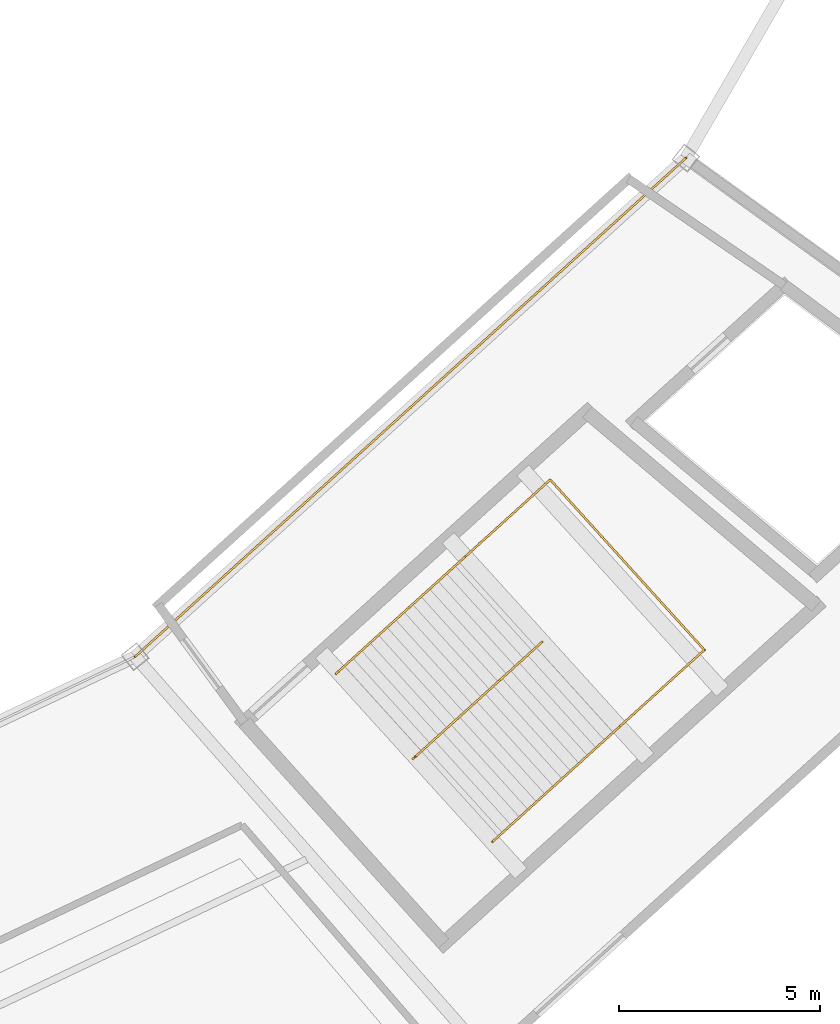
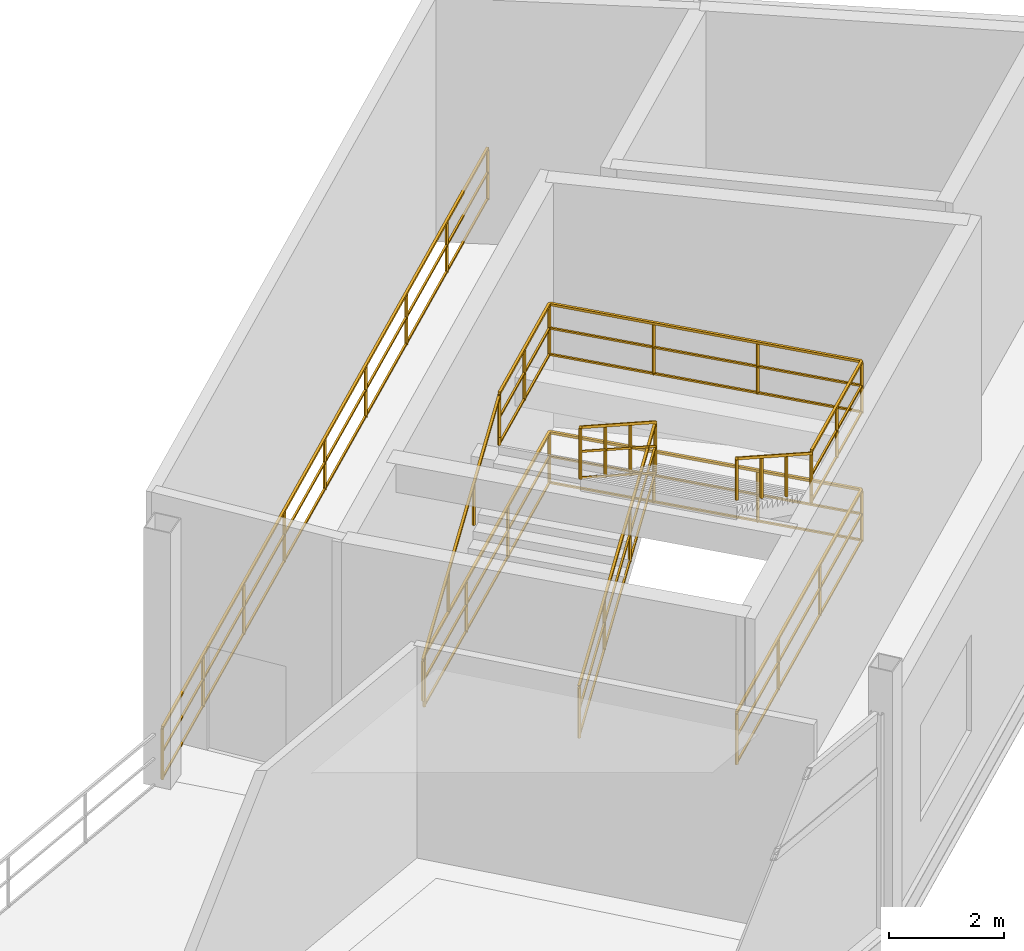
# One storey, part 100 of 103: 6 railings.
"""IFC4 building model written with IfcOpenShell, lengths in metres."""

import ifcopenshell
import ifcopenshell.guid

model = None  # the IFC model being written
_history = None  # IfcOwnerHistory: only IFC2X3 demands one
_inside = {}  # id of a spatial element -> (the spatial element, [elements in it])
_under = {}  # id of a project, library or spatial element -> (it, [spatial elements below it])
_declared = {}  # id of a project -> (the project, [libraries it declares])
_typed = {}  # id of a type object -> (the type object, [elements of that type])
_made_of = {}  # id of a material, layer set ... -> (it, [elements and type objects made of it])


def new_model(schema):
    """Start an empty IFC model of exactly this schema.

    Asked for "IFC4X3", IfcOpenShell would pick the latest addendum, in which some entities
    have other attributes; the version numbers below select the first issue.
    IFC2X3 requires an IfcOwnerHistory on every rooted entity: one is made here for all.
    """
    global model, _history
    if schema == "IFC4X3":
        model = ifcopenshell.file(schema_version=(4, 3, 0, 0))
    else:
        model = ifcopenshell.file(schema=schema)
    _inside.clear()
    _under.clear()
    _declared.clear()
    _typed.clear()
    _made_of.clear()
    _history = None
    if model.schema == "IFC2X3":
        org = make("IfcOrganization", Name="unknown")
        user = make(
            "IfcPersonAndOrganization",
            ThePerson=make("IfcPerson", FamilyName="unknown"),
            TheOrganization=org,
        )
        app = make(
            "IfcApplication",
            ApplicationDeveloper=org,
            Version="unknown",
            ApplicationFullName="unknown",
            ApplicationIdentifier="unknown",
        )
        _history = make(
            "IfcOwnerHistory",
            OwningUser=user,
            OwningApplication=app,
            ChangeAction="ADDED",
            CreationDate=0,
        )
    return model


def make(cls, **values):
    """One entity of the class cls with the attributes given. An attribute that is None is left unset."""
    return model.create_entity(
        cls, **{name: value for name, value in values.items() if value is not None}
    )


def rooted(cls, **values):
    """An entity with a GlobalId (a new one), such as an element, a storey or a relation."""
    return make(cls, GlobalId=ifcopenshell.guid.new(), OwnerHistory=_history, **values)


def si_unit(unit_type, name, prefix=None):
    """IfcSIUnit, for example si_unit("LENGTHUNIT", "METRE", prefix="MILLI")."""
    return make("IfcSIUnit", UnitType=unit_type, Prefix=prefix, Name=name)


def assignment(units):
    """IfcUnitAssignment: the units of a project."""
    return None if units is None else make("IfcUnitAssignment", Units=units)


def point(xyz):
    """IfcCartesianPoint."""
    return None if xyz is None else make("IfcCartesianPoint", Coordinates=xyz)


def direction(xyz):
    """IfcDirection."""
    return None if xyz is None else make("IfcDirection", DirectionRatios=xyz)


def frame(location, z_axis=None, x_axis=None):
    """IfcAxis2Placement3D, a coordinate frame: its origin and axes. An axis left out is left unset."""
    return make(
        "IfcAxis2Placement3D",
        Location=point(location),
        Axis=direction(z_axis),
        RefDirection=direction(x_axis),
    )


def frame_2d(location, x_axis=None):
    """IfcAxis2Placement2D, a coordinate frame in the plane: its origin and x axis."""
    return make(
        "IfcAxis2Placement2D", Location=point(location), RefDirection=direction(x_axis)
    )


def origin():
    """The frame at (0, 0, 0) with its axes left unset."""
    return frame((0.0, 0.0, 0.0))


def origin_2d():
    """The frame at (0, 0) in the plane with its x axis left unset."""
    return frame_2d((0.0, 0.0))


def place(relative_to, where):
    """IfcLocalPlacement: puts the frame where relative to a parent placement (None: the world)."""
    return make(
        "IfcLocalPlacement", PlacementRelTo=relative_to, RelativePlacement=where
    )


def context(
    kind, dimensions, precision=None, world=None, true_north=None, identifier=None
):
    """IfcGeometricRepresentationContext, for example the 3D "Model" context."""
    return make(
        "IfcGeometricRepresentationContext",
        ContextIdentifier=identifier,
        ContextType=kind,
        CoordinateSpaceDimension=dimensions,
        Precision=precision,
        WorldCoordinateSystem=world,
        TrueNorth=true_north,
    )


def subcontext(parent, identifier, kind, view, scale=None):
    """IfcGeometricRepresentationSubContext, for example "Body" below "Model"."""
    return make(
        "IfcGeometricRepresentationSubContext",
        ContextIdentifier=identifier,
        ContextType=kind,
        ParentContext=parent,
        TargetScale=scale,
        TargetView=view,
    )


def project(units=None, contexts=None):
    """IfcProject with its units and contexts."""
    return rooted(
        "IfcProject",
        Name="project",
        RepresentationContexts=contexts,
        UnitsInContext=assignment(units),
    )


def spatial(cls, under=None, at=None, **own):
    """A site, building, storey or space (cls), placed at a placement, below another one or the project."""
    s = rooted(cls, ObjectPlacement=at, **own)
    if under is not None:
        _under.setdefault(under.id(), (under, []))[1].append(s)
    return s


def profile(cls, at=None, kind="AREA", **sizes):
    """A parametric profile (cls). Its sizes go by their IFC names, for example OverallWidth=200.0."""
    return make(cls, ProfileType=kind, Position=at, **sizes)


def rectangle(**sizes):
    """IfcRectangleProfileDef."""
    return profile("IfcRectangleProfileDef", **sizes)


def extrude(swept, where, along, depth):
    """IfcExtrudedAreaSolid: the profile swept, set in the frame where, extruded along a direction by depth."""
    return make(
        "IfcExtrudedAreaSolid",
        SweptArea=swept,
        Position=where,
        ExtrudedDirection=direction(along),
        Depth=depth,
    )


def shape(context_of_items, identifier, shape_type, items):
    """IfcShapeRepresentation: the items that make up one representation, for example the "Body"."""
    return make(
        "IfcShapeRepresentation",
        ContextOfItems=context_of_items,
        RepresentationIdentifier=identifier,
        RepresentationType=shape_type,
        Items=items,
    )


def material(Name=None, Category=None):
    """IfcMaterial."""
    return make("IfcMaterial", Name=Name, Category=Category)


def made_of(thing, what):
    """Note that an element or type object is made of a material, layer set ...; save() writes the relation."""
    if what is not None:
        _made_of.setdefault(what.id(), (what, []))[1].append(thing)
    return thing


def type_object(cls, material=None, **own):
    """A type object (cls), such as IfcWallType, which elements share."""
    return made_of(rooted(cls, **own), material)


def element(
    cls,
    number,
    at=None,
    inside=None,
    cuts=None,
    type_object=None,
    material=None,
    context=None,
    identifier="Body",
    shape_type=None,
    held_by="IfcProductDefinitionShape",
    body=None,
    shapes=None,
    **own,
):
    """One element of the class cls, such as IfcWall. Its Tag is "e" and its number.

    at: its placement. inside: the storey or other place that contains it. cuts: it is an
    opening in that element (IfcRelVoidsElement). A single representation is given by context,
    identifier, shape_type and body (its items); several are given by shapes. held_by: the class
    of the entity that holds the representations. save() writes the other relations.
    """
    e = rooted(cls, Tag="e%d" % number, ObjectPlacement=at, **own)
    if body is not None:
        shapes = [shape(context, identifier, shape_type, body)]
    if shapes is not None:
        e.Representation = make(held_by, Representations=shapes)
    if inside is not None:
        _inside.setdefault(inside.id(), (inside, []))[1].append(e)
    if cuts is not None:
        rooted(
            "IfcRelVoidsElement", RelatingBuildingElement=cuts, RelatedOpeningElement=e
        )
    if type_object is not None:
        _typed.setdefault(type_object.id(), (type_object, []))[1].append(e)
    return made_of(e, material)


def aggregate(whole, parts):
    """IfcRelAggregates: a whole, such as a stair, and the parts it consists of."""
    return rooted("IfcRelAggregates", RelatingObject=whole, RelatedObjects=parts)


def save(model, path):
    """Write the relations noted so far, then the file.

    IfcRelAggregates (storeys below a building ...), IfcRelContainedInSpatialStructure (elements
    in a storey), IfcRelDefinesByType, IfcRelAssociatesMaterial and IfcRelDeclares: one each for
    every whole, place, type object, material and project.
    """
    for whole, parts in _under.values():
        aggregate(whole, parts)
    for where, things in _inside.values():
        rooted(
            "IfcRelContainedInSpatialStructure",
            RelatedElements=things,
            RelatingStructure=where,
        )
    for kind, things in _typed.values():
        rooted("IfcRelDefinesByType", RelatedObjects=things, RelatingType=kind)
    for what, things in _made_of.values():
        rooted("IfcRelAssociatesMaterial", RelatedObjects=things, RelatingMaterial=what)
    for by, libraries in _declared.values():
        rooted("IfcRelDeclares", RelatingContext=by, RelatedDefinitions=libraries)
    model.write(path)


model = new_model("IFC4")

# Units and contexts
model_context = context("Model", 3, precision=1e-05, world=origin(), true_north=direction((0.0, 1.0)))
body_context = subcontext(model_context, "Body", "Model", "MODEL_VIEW")
ifc_project = project(units=[si_unit("LENGTHUNIT", "METRE"), si_unit("AREAUNIT", "SQUARE_METRE"), si_unit("VOLUMEUNIT", "CUBIC_METRE"), si_unit("PLANEANGLEUNIT", "RADIAN"), si_unit("MASSUNIT", "GRAM", prefix="KILO")], contexts=[model_context])

# Site, building, storey
site_placement = place(None, origin())
site = spatial("IfcSite", under=ifc_project, at=site_placement, CompositionType="ELEMENT")
building_placement = place(site_placement, origin())
building = spatial("IfcBuilding", under=site, at=building_placement, Name="Kazemori Nagisa Stadium", CompositionType="ELEMENT")
storey_placement = place(building_placement, frame((0.0, 0.0, 25.840087890625)))
storey = spatial("IfcBuildingStorey", under=building, at=storey_placement, Name="L05", CompositionType="ELEMENT", Elevation=25.840087890625)

# Railings
ifc_material_1 = material(Name="Laminated safety glass and stainless steel SUS304", Category="steel")
railing_type_1 = type_object("IfcRailingType", Name="Rail_BAL", PredefinedType="BALUSTRADE", material=ifc_material_1)
railing_1_placement = place(storey_placement, frame((176.834228515625, 40.88916015625, 0.0)))
element("IfcRailing", 1, at=railing_1_placement, inside=storey, type_object=railing_type_1, Name="Upper concourse balustrade L05-B25", PredefinedType="BALUSTRADE", context=body_context, shape_type="SweptSolid", body=[
    extrude(rectangle(XDim=0.050048828125, YDim=0.050048828125, at=origin_2d()), frame((0.0, 0.0, 1.09521484375), z_axis=(0.741349142139, 0.671119549298, 0.0), x_axis=(-0.671119549298, 0.741349142139, 0.0)), (0.0, 0.0, 1.0), 18.44189453125),
    extrude(rectangle(XDim=0.03759765625, YDim=0.03759765625, at=origin_2d()), frame((0.0, 0.0, 0.58251953125), z_axis=(0.741349142139, 0.671119549298, 0.0), x_axis=(-0.671119549298, 0.741349142139, 0.0)), (0.0, 0.0, 1.0), 18.44189453125),
    extrude(rectangle(XDim=0.03759765625, YDim=0.03759765625, at=origin_2d()), frame((0.0, 0.0, 0.02490234375), z_axis=(0.741349142139, 0.671119549298, 0.0), x_axis=(-0.671119549298, 0.741349142139, 0.0)), (0.0, 0.0, 1.0), 18.44189453125),
    extrude(rectangle(XDim=0.044921875, YDim=0.044921875, at=origin_2d()), origin(), (0.0, 0.0, 1.0), 1.070068359375),
    extrude(rectangle(XDim=0.044921875, YDim=0.044921875, at=origin_2d()), frame((1.708984375, 1.547119140625, 0.0)), (0.0, 0.0, 1.0), 1.070068359375),
    extrude(rectangle(XDim=0.044921875, YDim=0.044921875, at=origin_2d()), frame((3.41796875, 3.09423828125, 0.0)), (0.0, 0.0, 1.0), 1.070068359375),
    extrude(rectangle(XDim=0.044921875, YDim=0.044921875, at=origin_2d()), frame((5.126953125, 4.641357421875, 0.0)), (0.0, 0.0, 1.0), 1.070068359375),
    extrude(rectangle(XDim=0.044921875, YDim=0.044921875, at=origin_2d()), frame((6.8359375, 6.1884765625, 0.0)), (0.0, 0.0, 1.0), 1.070068359375),
    extrude(rectangle(XDim=0.044921875, YDim=0.044921875, at=origin_2d()), frame((8.544921875, 7.7353515625, 0.0)), (0.0, 0.0, 1.0), 1.070068359375),
    extrude(rectangle(XDim=0.044921875, YDim=0.044921875, at=origin_2d()), frame((10.25390625, 9.282470703125, 0.0)), (0.0, 0.0, 1.0), 1.070068359375),
    extrude(rectangle(XDim=0.044921875, YDim=0.044921875, at=origin_2d()), frame((11.962890625, 10.82958984375, 0.0)), (0.0, 0.0, 1.0), 1.070068359375),
    extrude(rectangle(XDim=0.044921875, YDim=0.044921875, at=origin_2d()), frame((13.671875, 12.376708984375, 0.0)), (0.0, 0.0, 1.0), 1.070068359375),
])
ifc_material_2 = material(Name="Galvanised powder-coated steel", Category="steel")
railing_type_2 = type_object("IfcRailingType", Name="Rail_GUARD", PredefinedType="GUARDRAIL", material=ifc_material_2)
railing_2_placement = place(storey_placement, frame((181.87890625, 40.5205078125, 0.0)))
element("IfcRailing", 2, at=railing_2_placement, inside=storey, type_object=railing_type_2, Name="Stair well perimeter guard ST04-L05", PredefinedType="GUARDRAIL", context=body_context, shape_type="SweptSolid", body=[
    extrude(rectangle(XDim=0.050048828125, YDim=0.050048828125, at=origin_2d()), frame((0.0, 0.0, 1.09521484375), z_axis=(0.741333574744, 0.671136745349, 0.0), x_axis=(-0.671136745349, 0.741333574744, 0.0)), (0.0, 0.0, 1.0), 7.094970703125),
    extrude(rectangle(XDim=0.03759765625, YDim=0.03759765625, at=origin_2d()), frame((0.0, 0.0, 0.58251953125), z_axis=(0.741333574744, 0.671136745349, 0.0), x_axis=(-0.671136745349, 0.741333574744, 0.0)), (0.0, 0.0, 1.0), 7.094970703125),
    extrude(rectangle(XDim=0.03759765625, YDim=0.03759765625, at=origin_2d()), frame((0.0, 0.0, 0.02490234375), z_axis=(0.741333574744, 0.671136745349, 0.0), x_axis=(-0.671136745349, 0.741333574744, 0.0)), (0.0, 0.0, 1.0), 7.094970703125),
    extrude(rectangle(XDim=0.050048828125, YDim=0.050048828125, at=origin_2d()), frame((5.259765625, 4.76171875, 1.09521484375), z_axis=(0.671112926645, -0.74135513736, 0.0), x_axis=(0.74135513736, 0.671112926645, 0.0)), (0.0, 0.0, 1.0), 5.7001953125),
    extrude(rectangle(XDim=0.03759765625, YDim=0.03759765625, at=origin_2d()), frame((5.259765625, 4.76171875, 0.58251953125), z_axis=(0.671112926645, -0.74135513736, 0.0), x_axis=(0.74135513736, 0.671112926645, 0.0)), (0.0, 0.0, 1.0), 5.7001953125),
    extrude(rectangle(XDim=0.03759765625, YDim=0.03759765625, at=origin_2d()), frame((5.259765625, 4.76171875, 0.02490234375), z_axis=(0.671112926645, -0.74135513736, 0.0), x_axis=(0.74135513736, 0.671112926645, 0.0)), (0.0, 0.0, 1.0), 5.7001953125),
    extrude(rectangle(XDim=0.050048828125, YDim=0.050048828125, at=origin_2d()), frame((9.085205078125, 0.535888671875, 1.09521484375), z_axis=(-0.741366193318, -0.67110071331, 0.0), x_axis=(0.67110071331, -0.741366193318, 0.0)), (0.0, 0.0, 1.0), 7.094970703125),
    extrude(rectangle(XDim=0.03759765625, YDim=0.03759765625, at=origin_2d()), frame((9.085205078125, 0.535888671875, 0.58251953125), z_axis=(-0.741366193318, -0.67110071331, 0.0), x_axis=(0.67110071331, -0.741366193318, 0.0)), (0.0, 0.0, 1.0), 7.094970703125),
    extrude(rectangle(XDim=0.03759765625, YDim=0.03759765625, at=origin_2d()), frame((9.085205078125, 0.535888671875, 0.02490234375), z_axis=(-0.741366193318, -0.67110071331, 0.0), x_axis=(0.67110071331, -0.741366193318, 0.0)), (0.0, 0.0, 1.0), 7.094970703125),
    extrude(rectangle(XDim=0.044921875, YDim=0.044921875, at=origin_2d()), origin(), (0.0, 0.0, 1.0), 1.070068359375),
    extrude(rectangle(XDim=0.044921875, YDim=0.044921875, at=origin_2d()), frame((1.753173828125, 1.587158203125, 0.0)), (0.0, 0.0, 1.0), 1.070068359375),
    extrude(rectangle(XDim=0.044921875, YDim=0.044921875, at=origin_2d()), frame((3.506591796875, 3.174560546875, 0.0)), (0.0, 0.0, 1.0), 1.070068359375),
    extrude(rectangle(XDim=0.044921875, YDim=0.044921875, at=origin_2d()), frame((5.259765625, 4.76171875, 0.0)), (0.0, 0.0, 1.0), 1.070068359375),
    extrude(rectangle(XDim=0.044921875, YDim=0.044921875, at=origin_2d()), frame((6.534912109375, 3.35302734375, 0.0)), (0.0, 0.0, 1.0), 1.070068359375),
    extrude(rectangle(XDim=0.044921875, YDim=0.044921875, at=origin_2d()), frame((7.81005859375, 1.944580078125, 0.0)), (0.0, 0.0, 1.0), 1.070068359375),
    extrude(rectangle(XDim=0.044921875, YDim=0.044921875, at=origin_2d()), frame((9.085205078125, 0.535888671875, 0.0)), (0.0, 0.0, 1.0), 1.070068359375),
    extrude(rectangle(XDim=0.044921875, YDim=0.044921875, at=origin_2d()), frame((7.331787109375, -1.05126953125, 0.0)), (0.0, 0.0, 1.0), 1.070068359375),
    extrude(rectangle(XDim=0.044921875, YDim=0.044921875, at=origin_2d()), frame((5.57861328125, -2.638427734375, 0.0)), (0.0, 0.0, 1.0), 1.070068359375),
    extrude(rectangle(XDim=0.044921875, YDim=0.044921875, at=origin_2d()), frame((3.8251953125, -4.2255859375, 0.0)), (0.0, 0.0, 1.0), 1.070068359375),
])
railing_3_placement = place(storey_placement, frame((183.732177734375, 38.35400390625, 0.0)))
element("IfcRailing", 3, at=railing_3_placement, inside=storey, type_object=railing_type_2, Name="Stair central guard ST04-L05", PredefinedType="GUARDRAIL", context=body_context, shape_type="SweptSolid", body=[
    extrude(rectangle(XDim=0.050048828125, YDim=0.050048828125, at=origin_2d()), frame((0.0, 0.0, 1.09521484375), z_axis=(0.627557777508, 0.568113486393, 0.532370456043), x_axis=(-0.67112318634, 0.741345849626, 0.0)), (0.0, 0.0, 1.0), 5.109130859375),
    extrude(rectangle(XDim=0.03759765625, YDim=0.03759765625, at=origin_2d()), frame((0.0, 0.0, 0.58251953125), z_axis=(0.627557777508, 0.568113486393, 0.532370456043), x_axis=(-0.67112318634, 0.741345849626, 0.0)), (0.0, 0.0, 1.0), 5.109130859375),
    extrude(rectangle(XDim=0.03759765625, YDim=0.03759765625, at=origin_2d()), frame((0.0, 0.0, 0.02490234375), z_axis=(0.627557777508, 0.568113486393, 0.532370456043), x_axis=(-0.67112318634, 0.741345849626, 0.0)), (0.0, 0.0, 1.0), 5.109130859375),
    extrude(rectangle(XDim=0.050048828125, YDim=0.050048828125, at=origin_2d()), frame((3.206298828125, 2.902587890625, 3.81494140625), z_axis=(-0.624200602078, -0.565073454279, 0.539504957933), x_axis=(0.671122625547, -0.741346357298, 0.0)), (0.0, 0.0, 1.0), 5.04150390625),
    extrude(rectangle(XDim=0.03759765625, YDim=0.03759765625, at=origin_2d()), frame((3.206298828125, 2.902587890625, 3.302490234375), z_axis=(-0.624200602078, -0.565073454279, 0.539504957933), x_axis=(0.671122625547, -0.741346357298, 0.0)), (0.0, 0.0, 1.0), 5.04150390625),
    extrude(rectangle(XDim=0.03759765625, YDim=0.03759765625, at=origin_2d()), frame((3.206298828125, 2.902587890625, 2.7451171875), z_axis=(-0.624200602078, -0.565073454279, 0.539504957933), x_axis=(0.671122625547, -0.741346357298, 0.0)), (0.0, 0.0, 1.0), 5.04150390625),
    extrude(rectangle(XDim=0.044921875, YDim=0.044921875, at=origin_2d()), origin(), (0.0, 0.0, 1.0), 1.070068359375),
    extrude(rectangle(XDim=0.044921875, YDim=0.044921875, at=origin_2d()), frame((1.06884765625, 0.967529296875, 0.90673828125)), (0.0, 0.0, 1.0), 1.070068359375),
    extrude(rectangle(XDim=0.044921875, YDim=0.044921875, at=origin_2d()), frame((2.137451171875, 1.93505859375, 1.813232421875)), (0.0, 0.0, 1.0), 1.070068359375),
    extrude(rectangle(XDim=0.044921875, YDim=0.044921875, at=origin_2d()), frame((3.206298828125, 2.902587890625, 2.719970703125)), (0.0, 0.0, 1.0), 1.070068359375),
    extrude(rectangle(XDim=0.044921875, YDim=0.044921875, at=origin_2d()), frame((2.1572265625, 1.952880859375, 3.626708984375)), (0.0, 0.0, 1.0), 1.070068359375),
    extrude(rectangle(XDim=0.044921875, YDim=0.044921875, at=origin_2d()), frame((1.1083984375, 1.00341796875, 4.533203125)), (0.0, 0.0, 1.0), 1.070068359375),
    extrude(rectangle(XDim=0.044921875, YDim=0.044921875, at=origin_2d()), frame((0.059326171875, 0.0537109375, 5.43994140625)), (0.0, 0.0, 1.0), 1.070068359375),
])
railing_4_placement = place(storey_placement, frame((185.02587890625, 43.369384765625, 2.719970703125)))
element("IfcRailing", 4, at=railing_4_placement, inside=storey, type_object=railing_type_2, Name="Stair landing guard ST04-L05", PredefinedType="GUARDRAIL", context=body_context, shape_type="SweptSolid", body=[
    extrude(rectangle(XDim=0.050048828125, YDim=0.050048828125, at=origin_2d()), frame((0.0, 0.0, 1.09521484375), z_axis=(0.741314535645, 0.671157775223, 0.0), x_axis=(-0.671157775223, 0.741314535645, 0.0)), (0.0, 0.0, 1.0), 2.85009765625),
    extrude(rectangle(XDim=0.03759765625, YDim=0.03759765625, at=origin_2d()), frame((0.0, 0.0, 0.58251953125), z_axis=(0.741314535645, 0.671157775223, 0.0), x_axis=(-0.671157775223, 0.741314535645, 0.0)), (0.0, 0.0, 1.0), 2.85009765625),
    extrude(rectangle(XDim=0.03759765625, YDim=0.03759765625, at=origin_2d()), frame((0.0, 0.0, 0.02490234375), z_axis=(0.741314535645, 0.671157775223, 0.0), x_axis=(-0.671157775223, 0.741314535645, 0.0)), (0.0, 0.0, 1.0), 2.85009765625),
    extrude(rectangle(XDim=0.050048828125, YDim=0.050048828125, at=origin_2d()), frame((2.11279296875, 1.912841796875, 1.09521484375), z_axis=(0.671112926645, -0.74135513736, 0.0), x_axis=(0.74135513736, 0.671112926645, 0.0)), (0.0, 0.0, 1.0), 5.7001953125),
    extrude(rectangle(XDim=0.03759765625, YDim=0.03759765625, at=origin_2d()), frame((2.11279296875, 1.912841796875, 0.58251953125), z_axis=(0.671112926645, -0.74135513736, 0.0), x_axis=(0.74135513736, 0.671112926645, 0.0)), (0.0, 0.0, 1.0), 5.7001953125),
    extrude(rectangle(XDim=0.03759765625, YDim=0.03759765625, at=origin_2d()), frame((2.11279296875, 1.912841796875, 0.02490234375), z_axis=(0.671112926645, -0.74135513736, 0.0), x_axis=(0.74135513736, 0.671112926645, 0.0)), (0.0, 0.0, 1.0), 5.7001953125),
    extrude(rectangle(XDim=0.050048828125, YDim=0.050048828125, at=origin_2d()), frame((5.938232421875, -2.31298828125, 1.09521484375), z_axis=(-0.741357156534, -0.671110696127, 0.0), x_axis=(0.671110696127, -0.741357156534, 0.0)), (0.0, 0.0, 1.0), 2.849853515625),
    extrude(rectangle(XDim=0.03759765625, YDim=0.03759765625, at=origin_2d()), frame((5.938232421875, -2.31298828125, 0.58251953125), z_axis=(-0.741357156534, -0.671110696127, 0.0), x_axis=(0.671110696127, -0.741357156534, 0.0)), (0.0, 0.0, 1.0), 2.849853515625),
    extrude(rectangle(XDim=0.03759765625, YDim=0.03759765625, at=origin_2d()), frame((5.938232421875, -2.31298828125, 0.02490234375), z_axis=(-0.741357156534, -0.671110696127, 0.0), x_axis=(0.671110696127, -0.741357156534, 0.0)), (0.0, 0.0, 1.0), 2.849853515625),
    extrude(rectangle(XDim=0.044921875, YDim=0.044921875, at=origin_2d()), origin(), (0.0, 0.0, 1.0), 1.070068359375),
    extrude(rectangle(XDim=0.044921875, YDim=0.044921875, at=origin_2d()), frame((1.056396484375, 0.95654296875, 0.0)), (0.0, 0.0, 1.0), 1.070068359375),
    extrude(rectangle(XDim=0.044921875, YDim=0.044921875, at=origin_2d()), frame((2.11279296875, 1.912841796875, 0.0)), (0.0, 0.0, 1.0), 1.070068359375),
    extrude(rectangle(XDim=0.044921875, YDim=0.044921875, at=origin_2d()), frame((3.387939453125, 0.504150390625, 0.0)), (0.0, 0.0, 1.0), 1.070068359375),
    extrude(rectangle(XDim=0.044921875, YDim=0.044921875, at=origin_2d()), frame((4.6630859375, -0.904296875, 0.0)), (0.0, 0.0, 1.0), 1.070068359375),
    extrude(rectangle(XDim=0.044921875, YDim=0.044921875, at=origin_2d()), frame((5.938232421875, -2.31298828125, 0.0)), (0.0, 0.0, 1.0), 1.070068359375),
    extrude(rectangle(XDim=0.044921875, YDim=0.044921875, at=origin_2d()), frame((4.8818359375, -3.269287109375, 0.0)), (0.0, 0.0, 1.0), 1.070068359375),
    extrude(rectangle(XDim=0.044921875, YDim=0.044921875, at=origin_2d()), frame((3.825439453125, -4.2255859375, 0.0)), (0.0, 0.0, 1.0), 1.070068359375),
])
ifc_material_3 = material(Name="Stainless steel SUS304", Category="steel")
railing_type_3 = type_object("IfcRailingType", Name="Rail_HAND", PredefinedType="HANDRAIL", material=ifc_material_3)
railing_5_placement = place(storey_placement, frame((181.819580078125, 40.466796875, 0.169921875)))
element("IfcRailing", 5, at=railing_5_placement, inside=storey, type_object=railing_type_3, Name="Stair handrail ST04-L05-F1", PredefinedType="HANDRAIL", context=body_context, shape_type="SweptSolid", body=[
    extrude(rectangle(XDim=0.050048828125, YDim=0.050048828125, at=origin_2d()), frame((0.0, 0.0, 0.875), z_axis=(0.627557777508, 0.568113486393, 0.532370456043), x_axis=(-0.67112318634, 0.741345849626, 0.0)), (0.0, 0.0, 1.0), 5.109130859375),
    extrude(rectangle(XDim=0.044921875, YDim=0.044921875, at=origin_2d()), origin(), (0.0, 0.0, 1.0), 0.849853515625),
    extrude(rectangle(XDim=0.044921875, YDim=0.044921875, at=origin_2d()), frame((1.06884765625, 0.967529296875, 0.90673828125)), (0.0, 0.0, 1.0), 0.849853515625),
    extrude(rectangle(XDim=0.044921875, YDim=0.044921875, at=origin_2d()), frame((2.137451171875, 1.93505859375, 1.813232421875)), (0.0, 0.0, 1.0), 0.849853515625),
    extrude(rectangle(XDim=0.044921875, YDim=0.044921875, at=origin_2d()), frame((3.206298828125, 2.902587890625, 2.719970703125)), (0.0, 0.0, 1.0), 0.849853515625),
])
railing_6_placement = place(storey_placement, frame((188.851318359375, 39.143798828125, 2.889892578125)))
element("IfcRailing", 6, at=railing_6_placement, inside=storey, type_object=railing_type_3, Name="Stair handrail ST04-L05-F2", PredefinedType="HANDRAIL", context=body_context, shape_type="SweptSolid", body=[
    extrude(rectangle(XDim=0.050048828125, YDim=0.050048828125, at=origin_2d()), frame((0.0, 0.0, 0.875), z_axis=(-0.624230158192, -0.5650563739, 0.539488650408), x_axis=(0.67109401143, -0.741372259949, 0.0)), (0.0, 0.0, 1.0), 5.041748046875),
    extrude(rectangle(XDim=0.044921875, YDim=0.044921875, at=origin_2d()), origin(), (0.0, 0.0, 1.0), 0.849853515625),
    extrude(rectangle(XDim=0.044921875, YDim=0.044921875, at=origin_2d()), frame((-1.049072265625, -0.94970703125, 0.90673828125)), (0.0, 0.0, 1.0), 0.849853515625),
    extrude(rectangle(XDim=0.044921875, YDim=0.044921875, at=origin_2d()), frame((-2.09814453125, -1.899169921875, 1.813232421875)), (0.0, 0.0, 1.0), 0.849853515625),
    extrude(rectangle(XDim=0.044921875, YDim=0.044921875, at=origin_2d()), frame((-3.147216796875, -2.848876953125, 2.719970703125)), (0.0, 0.0, 1.0), 0.849853515625),
])

save(model, "model.ifc")
